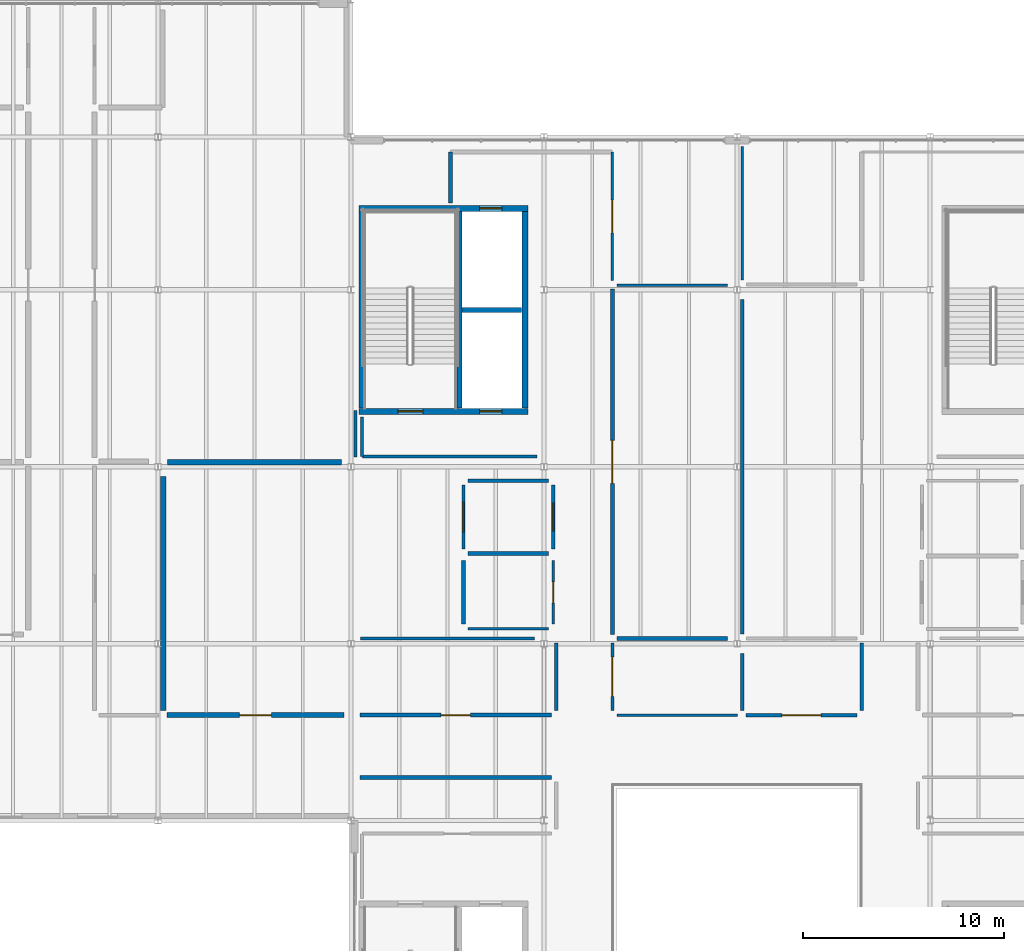
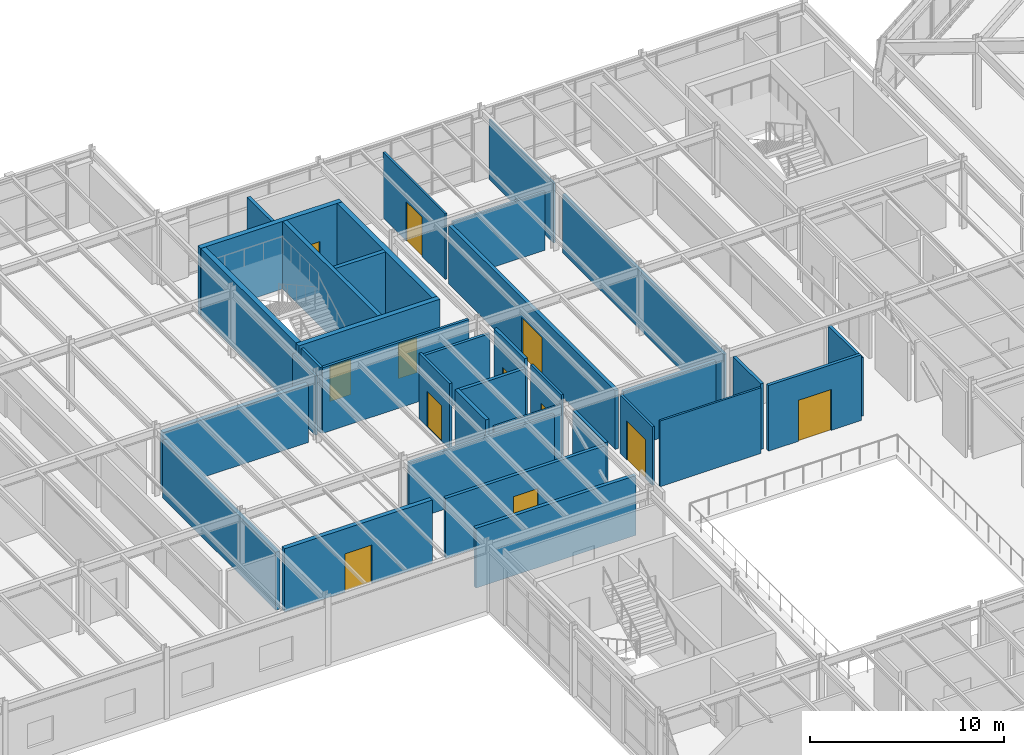
# One storey, part 54 of 69: 35 walls, 12 doors, 12 openings.
"""IFC4 building model written with IfcOpenShell, lengths in metres."""

from ifc_helpers import new_model, si_unit, direction, frame, frame_2d, origin, place, context, subcontext, project, spatial, rectangle, extrude, material, layer, layer_set, type_object, element, fill, save


model = new_model("IFC4")

# Units and contexts
model_context = context("Model", 3, precision=1e-05, world=origin(), true_north=direction((0.0, 1.0)))
body_context = subcontext(model_context, "Body", "Model", "MODEL_VIEW")
ifc_project = project(units=[si_unit("LENGTHUNIT", "METRE"), si_unit("AREAUNIT", "SQUARE_METRE"), si_unit("VOLUMEUNIT", "CUBIC_METRE"), si_unit("PLANEANGLEUNIT", "RADIAN"), si_unit("MASSUNIT", "GRAM", prefix="KILO")], contexts=[model_context])

# Site, building, storey
site_placement = place(None, origin())
site = spatial("IfcSite", under=ifc_project, at=site_placement, CompositionType="ELEMENT")
building_placement = place(site_placement, origin())
building = spatial("IfcBuilding", under=site, at=building_placement, Name="Sarnbrook Museum", CompositionType="ELEMENT")
storey_placement = place(building_placement, frame((0.0, 0.0, 14.60009765625)))
storey = spatial("IfcBuildingStorey", under=building, at=storey_placement, Name="L03", CompositionType="ELEMENT", Elevation=14.60009765625)

# Wall, openings, doors
ifc_material_1 = material(Name="Concrete N50 (AS 3600, f'c = 50 MPa)", Category="concrete")
ifc_layer_1 = layer(ifc_material_1, 0.300048828125)
ifc_layer_set_1 = layer_set([ifc_layer_1], Name="Concrete N50 (AS 3600, f'c = 50 MPa)")
wall_type_1 = type_object("IfcWallType", Name="CoreWall_CWRC", PredefinedType="SHEAR", material=ifc_layer_set_1)
wall_1_placement = place(storey_placement, frame((81.199951171875, 94.75, 0.0), z_axis=(0.0, 0.0, 1.0), x_axis=(1.0, 0.0, 0.0)))
wall_1 = element("IfcWall", 1, at=wall_1_placement, inside=storey, type_object=wall_type_1, Name="Core C4 Shear Wall S L03", PredefinedType="SHEAR", context=body_context, shape_type="SweptSolid", body=[
    extrude(rectangle(XDim=8.400146484375, YDim=0.300048828125, at=frame_2d((4.2001953125, 0.0))), origin(), (0.0, 0.0, 1.0), 4.244873046875),
])
opening_1_placement = place(wall_1_placement, frame((1.925048828125, 0.0, 0.0)))
opening_1 = element("IfcOpeningElement", 2, at=opening_1_placement, cuts=wall_1, Name="Opening D-ST-ST4-L03", PredefinedType="OPENING", context=body_context, shape_type="SweptSolid", body=[
    extrude(rectangle(XDim=1.25, YDim=2.199951171875, at=frame_2d((0.625, 1.10009765625))), frame((0.0, 0.16015625, 0.0), z_axis=(0.0, -1.0, 0.0), x_axis=(1.0, 0.0, 0.0)), (0.0, 0.0, 1.0), 0.320068359375),
])
opening_2_placement = place(wall_1_placement, frame((6.0, 0.0, 0.0)))
opening_2 = element("IfcOpeningElement", 3, at=opening_2_placement, cuts=wall_1, Name="Opening LD-PL3-L03", PredefinedType="OPENING", context=body_context, shape_type="SweptSolid", body=[
    extrude(rectangle(XDim=1.10009765625, YDim=2.199951171875, at=frame_2d((0.550048828125, 1.10009765625))), frame((0.0, 0.16015625, 0.0), z_axis=(0.0, -1.0, 0.0), x_axis=(1.0, 0.0, 0.0)), (0.0, 0.0, 1.0), 0.320068359375),
])
ifc_material_2 = material(Name="Tasmanian Oak Acoustic Timber", Category="wood")
door_type_1 = type_object("IfcDoorType", Name="FireDoor_FD120", OperationType="NOTDEFINED", PredefinedType="DOOR", material=ifc_material_2)
door_1_placement = place(opening_1_placement, origin())
door_1 = element("IfcDoor", 4, at=door_1_placement, inside=storey, type_object=door_type_1, Name="Exit Stair ST4 Fire Door L03", OperationType="SINGLE_SWING_LEFT", OverallHeight=2.199951171875, OverallWidth=1.25, PredefinedType="DOOR", context=body_context, shape_type="SweptSolid", body=[
    extrude(rectangle(XDim=1.25, YDim=2.199951171875, at=frame_2d((0.625, 1.10009765625))), frame((0.0, 0.02490234375, 0.0), z_axis=(0.0, -1.0, 0.0), x_axis=(1.0, 0.0, 0.0)), (0.0, 0.0, 1.0), 0.050048828125),
])
fill(opening_1, door_1)
ifc_material_3 = material(Name="Brushed Stainless Steel Grade 316", Category="steel")
door_type_2 = type_object("IfcDoorType", Name="LiftDoor_Pax110", OperationType="DOUBLE_DOOR_SLIDING", PredefinedType="DOOR", material=ifc_material_3)
door_2_placement = place(opening_2_placement, origin())
door_2 = element("IfcDoor", 5, at=door_2_placement, inside=storey, type_object=door_type_2, Name="Lift Landing Sliding Door LD-PL3-L03", OperationType="DOUBLE_DOOR_SLIDING", OverallHeight=2.199951171875, OverallWidth=1.10009765625, PredefinedType="DOOR", context=body_context, shape_type="SweptSolid", body=[
    extrude(rectangle(XDim=1.10009765625, YDim=2.199951171875, at=frame_2d((0.550048828125, 1.10009765625))), frame((0.0, 0.02490234375, 0.0), z_axis=(0.0, -1.0, 0.0), x_axis=(1.0, 0.0, 0.0)), (0.0, 0.0, 1.0), 0.050048828125),
])
fill(opening_2, door_2)

# Wall, opening, door
wall_2_placement = place(storey_placement, frame((89.60009765625, 104.85009765625, 0.0), z_axis=(0.0, 0.0, 1.0), x_axis=(-1.0, 0.0, 0.0)))
wall_2 = element("IfcWall", 6, at=wall_2_placement, inside=storey, type_object=wall_type_1, Name="Core C4 Shear Wall N L03", PredefinedType="SHEAR", context=body_context, shape_type="SweptSolid", body=[
    extrude(rectangle(XDim=8.400146484375, YDim=0.300048828125, at=frame_2d((4.2001953125, 0.0))), origin(), (0.0, 0.0, 1.0), 4.244873046875),
])
opening_3_placement = place(wall_2_placement, frame((1.300048828125, 0.0, 0.0)))
opening_3 = element("IfcOpeningElement", 7, at=opening_3_placement, cuts=wall_2, Name="Opening LD-PL4-L03", PredefinedType="OPENING", context=body_context, shape_type="SweptSolid", body=[
    extrude(rectangle(XDim=1.10009765625, YDim=2.199951171875, at=frame_2d((0.550048828125, 1.10009765625))), frame((0.0, 0.16015625, 0.0), z_axis=(0.0, -1.0, 0.0), x_axis=(1.0, 0.0, 0.0)), (0.0, 0.0, 1.0), 0.320068359375),
])
door_3_placement = place(opening_3_placement, origin())
door_3 = element("IfcDoor", 8, at=door_3_placement, inside=storey, type_object=door_type_2, Name="Lift Landing Sliding Door LD-PL4-L03", OperationType="DOUBLE_DOOR_SLIDING", OverallHeight=2.199951171875, OverallWidth=1.10009765625, PredefinedType="DOOR", context=body_context, shape_type="SweptSolid", body=[
    extrude(rectangle(XDim=1.10009765625, YDim=2.199951171875, at=frame_2d((0.550048828125, 1.10009765625))), frame((0.0, 0.02490234375, 0.0), z_axis=(0.0, -1.0, 0.0), x_axis=(1.0, 0.0, 0.0)), (0.0, 0.0, 1.0), 0.050048828125),
])
fill(opening_3, door_3)

# Walls
for number, where, z_axis, x_axis, name in (
    (9, (89.449951171875, 94.909912109375, 0.0), (0.0, 0.0, 1.0), (0.0, 1.0, 0.0), "Core C4 Shear Wall E L03"),
    (10, (81.35009765625, 104.68994140625, 0.0), (0.0, 0.0, 1.0), (0.0, -1.0, 0.0), "Core C4 Shear Wall W L03"),
):
    element("IfcWall", number, at=place(storey_placement, frame(where, z_axis=z_axis, x_axis=x_axis)), inside=storey, type_object=wall_type_1, Name=name, PredefinedType="SHEAR", context=body_context, shape_type="SweptSolid", body=[
        extrude(rectangle(XDim=9.780029296875, YDim=0.300048828125, at=frame_2d((4.89013671875, 0.0))), origin(), (0.0, 0.0, 1.0), 4.244873046875),
    ])

# Wall, opening, door
ifc_material_4 = material(Name="Concrete N40 (AS 3600, f'c = 40 MPa)", Category="concrete")
ifc_layer_2 = layer(ifc_material_4, 0.260009765625)
ifc_layer_set_2 = layer_set([ifc_layer_2], Name="Concrete N40 (AS 3600, f'c = 40 MPa)")
wall_type_2 = type_object("IfcWallType", Name="FireWall_FW240", PredefinedType="SOLIDWALL", material=ifc_layer_set_2)
wall_3_placement = place(storey_placement, frame((80.43994140625, 79.64990234375, 0.0), z_axis=(0.0, 0.0, 1.0), x_axis=(-1.0, 0.0, 0.0)))
wall_3 = element("IfcWall", 11, at=wall_3_placement, inside=storey, type_object=wall_type_2, Name="Interior Partition Wall L03-0705", PredefinedType="SOLIDWALL", context=body_context, shape_type="SweptSolid", body=[
    extrude(rectangle(XDim=8.7900390625, YDim=0.260009765625, at=frame_2d((4.39501953125, 0.0))), origin(), (0.0, 0.0, 1.0), 3.972900390625),
])
opening_4_placement = place(wall_3_placement, frame((3.594970703125, 0.0, 0.0)))
opening_4 = element("IfcOpeningElement", 12, at=opening_4_placement, cuts=wall_3, Name="Opening D-L03-206", PredefinedType="OPENING", context=body_context, shape_type="SweptSolid", body=[
    extrude(rectangle(XDim=1.60009765625, YDim=2.39990234375, at=frame_2d((0.800048828125, 1.199951171875))), frame((0.0, 0.14013671875, 0.0), z_axis=(0.0, -1.0, 0.0), x_axis=(1.0, 0.0, 0.0)), (0.0, 0.0, 1.0), 0.280029296875),
])
ifc_material_5 = material(Name="Patinated Architectural Bronze")
door_type_3 = type_object("IfcDoorType", Name="FireDoor_FD240", OperationType="NOTDEFINED", PredefinedType="DOOR", material=ifc_material_5)
door_4_placement = place(opening_4_placement, origin())
door_4 = element("IfcDoor", 13, at=door_4_placement, inside=storey, type_object=door_type_3, Name="Collection Archive Vault L03-35 Door D-L03-206", OperationType="DOUBLE_DOOR_SINGLE_SWING", OverallHeight=2.39990234375, OverallWidth=1.60009765625, PredefinedType="DOOR", context=body_context, shape_type="SweptSolid", body=[
    extrude(rectangle(XDim=1.60009765625, YDim=2.39990234375, at=frame_2d((0.800048828125, 1.199951171875))), frame((0.0, 0.02490234375, 0.0), z_axis=(0.0, -1.0, 0.0), x_axis=(1.0, 0.0, 0.0)), (0.0, 0.0, 1.0), 0.050048828125),
])
fill(opening_4, door_4)

# Walls
wall_4_placement = place(storey_placement, frame((71.4599609375, 91.52001953125, 0.0), z_axis=(0.0, 0.0, 1.0), x_axis=(0.0, -1.0, 0.0)))
element("IfcWall", 14, at=wall_4_placement, inside=storey, type_object=wall_type_2, Name="Interior Partition Wall L03-0727", PredefinedType="SOLIDWALL", context=body_context, shape_type="SweptSolid", body=[
    extrude(rectangle(XDim=11.64013671875, YDim=0.260009765625, at=frame_2d((5.820068359375, 0.0))), origin(), (0.0, 0.0, 1.0), 3.64697265625),
])
wall_5_placement = place(storey_placement, frame((80.320068359375, 92.219970703125, 0.0), z_axis=(0.0, 0.0, 1.0), x_axis=(-1.0, 0.0, 0.0)))
element("IfcWall", 15, at=wall_5_placement, inside=storey, type_object=wall_type_2, Name="Interior Partition Wall L03-0730", PredefinedType="SOLIDWALL", context=body_context, shape_type="SweptSolid", body=[
    extrude(rectangle(XDim=8.64013671875, YDim=0.260009765625, at=frame_2d((4.320068359375, 0.0))), origin(), (0.0, 0.0, 1.0), 3.64697265625),
])
ifc_material_6 = material(Name="Fire-Rated Acoustic Gypsum Plasterboard")
ifc_layer_3 = layer(ifc_material_6, 0.1201171875)
ifc_layer_set_3 = layer_set([ifc_layer_3], Name="Fire-Rated Acoustic Gypsum Plasterboard")
wall_type_3 = type_object("IfcWallType", Name="PartWall_P120", PredefinedType="PARTITIONING", material=ifc_layer_set_3)
wall_6_placement = place(storey_placement, frame((90.6298828125, 83.93994140625, 0.0), z_axis=(0.0, 0.0, 1.0), x_axis=(-1.0, 0.0, 0.0)))
element("IfcWall", 16, at=wall_6_placement, inside=storey, type_object=wall_type_3, Name="Interior Partition Wall L03-0601", PredefinedType="PARTITIONING", context=body_context, shape_type="SweptSolid", body=[
    extrude(rectangle(XDim=4.009765625, YDim=0.1201171875, at=frame_2d((2.0048828125, 0.0))), origin(), (0.0, 0.0, 1.0), 3.762939453125),
])

# Wall, opening, door
wall_7_placement = place(storey_placement, frame((93.800048828125, 101.25, 0.0), z_axis=(0.0, 0.0, 1.0), x_axis=(0.0, 1.0, 0.0)))
wall_7 = element("IfcWall", 17, at=wall_7_placement, inside=storey, type_object=wall_type_3, Name="Interior Partition Wall L03-0636", PredefinedType="PARTITIONING", context=body_context, shape_type="SweptSolid", body=[
    extrude(rectangle(XDim=6.389892578125, YDim=0.1201171875, at=frame_2d((3.19482421875, 0.0))), origin(), (0.0, 0.0, 1.0), 4.1298828125),
])
opening_5_placement = place(wall_7_placement, frame((2.385009765625, 0.0, 0.0)))
opening_5 = element("IfcOpeningElement", 18, at=opening_5_placement, cuts=wall_7, Name="Opening D-L03-182", PredefinedType="OPENING", context=body_context, shape_type="SweptSolid", body=[
    extrude(rectangle(XDim=1.6201171875, YDim=2.4599609375, at=frame_2d((0.81005859375, 1.22998046875))), frame((0.0, 0.070068359375, 0.0), z_axis=(0.0, -1.0, 0.0), x_axis=(1.0, 0.0, 0.0)), (0.0, 0.0, 1.0), 0.14013671875),
])
door_type_4 = type_object("IfcDoorType", Name="IntDoor_DT30", OperationType="NOTDEFINED", PredefinedType="DOOR", material=ifc_material_2)
door_5_placement = place(opening_5_placement, origin())
door_5 = element("IfcDoor", 19, at=door_5_placement, inside=storey, type_object=door_type_4, Name="Molecular DNA Conservation Lab L03-10 Door D-L03-182", OperationType="DOUBLE_DOOR_SINGLE_SWING", OverallHeight=2.4599609375, OverallWidth=1.6201171875, PredefinedType="DOOR", context=body_context, shape_type="SweptSolid", body=[
    extrude(rectangle(XDim=1.6201171875, YDim=2.4599609375, at=frame_2d((0.81005859375, 1.22998046875))), frame((0.0, 0.02490234375, 0.0), z_axis=(0.0, -1.0, 0.0), x_axis=(1.0, 0.0, 0.0)), (0.0, 0.0, 1.0), 0.050048828125),
])
fill(opening_5, door_5)

# Walls
wall_8_placement = place(storey_placement, frame((100.030029296875, 79.64990234375, 0.0), z_axis=(0.0, 0.0, 1.0), x_axis=(-1.0, 0.0, 0.0)))
element("IfcWall", 20, at=wall_8_placement, inside=storey, type_object=wall_type_3, Name="Interior Partition Wall L03-0643", PredefinedType="PARTITIONING", context=body_context, shape_type="SweptSolid", body=[
    extrude(rectangle(XDim=6.0, YDim=0.1201171875, at=frame_2d((3.0, 0.0))), origin(), (0.0, 0.0, 1.0), 4.1298828125),
])
wall_9_placement = place(storey_placement, frame((100.260009765625, 107.919921875, 0.0), z_axis=(0.0, 0.0, 1.0), x_axis=(0.0, -1.0, 0.0)))
element("IfcWall", 21, at=wall_9_placement, inside=storey, type_object=wall_type_3, Name="Interior Partition Wall L03-0713", PredefinedType="PARTITIONING", context=body_context, shape_type="SweptSolid", body=[
    extrude(rectangle(XDim=6.639892578125, YDim=0.1201171875, at=frame_2d((3.31982421875, 0.0))), origin(), (0.0, 0.0, 1.0), 3.762939453125),
])

# Wall, opening, door
ifc_layer_4 = layer(ifc_material_6, 0.135009765625)
ifc_layer_set_4 = layer_set([ifc_layer_4], Name="Fire-Rated Acoustic Gypsum Plasterboard")
wall_type_4 = type_object("IfcWallType", Name="PartWall_P135", PredefinedType="PARTITIONING", material=ifc_layer_set_4)
wall_10_placement = place(storey_placement, frame((90.860107421875, 87.330078125, 0.0), z_axis=(0.0, 0.0, 1.0), x_axis=(0.0, -1.0, 0.0)))
wall_10 = element("IfcWall", 22, at=wall_10_placement, inside=storey, type_object=wall_type_4, Name="Interior Partition Wall L03-0600", PredefinedType="PARTITIONING", context=body_context, shape_type="SweptSolid", body=[
    extrude(rectangle(XDim=3.16015625, YDim=0.135009765625, at=frame_2d((1.580078125, 0.0))), origin(), (0.0, 0.0, 1.0), 4.1298828125),
])
opening_6_placement = place(wall_10_placement, frame((1.054931640625, 0.0, 0.0)))
opening_6 = element("IfcOpeningElement", 23, at=opening_6_placement, cuts=wall_10, Name="Opening D-L03-173", PredefinedType="OPENING", context=body_context, shape_type="SweptSolid", body=[
    extrude(rectangle(XDim=1.050048828125, YDim=2.340087890625, at=frame_2d((0.52490234375, 1.169921875))), frame((0.0, 0.07763671875, 0.0), z_axis=(0.0, -1.0, 0.0), x_axis=(1.0, 0.0, 0.0)), (0.0, 0.0, 1.0), 0.155029296875),
])
door_type_5 = type_object("IfcDoorType", Name="IntDoor_DT21", OperationType="NOTDEFINED", PredefinedType="DOOR", material=ifc_material_2)
door_6_placement = place(opening_6_placement, frame((1.050048828125, 0.0, 0.0), z_axis=(0.0, 0.0, 1.0), x_axis=(-1.0, 0.0, 0.0)))
door_6 = element("IfcDoor", 24, at=door_6_placement, inside=storey, type_object=door_type_5, Name="Curatorial Staff Toilet L03 Door D-L03-173", OperationType="SINGLE_SWING_LEFT", OverallHeight=2.340087890625, OverallWidth=1.050048828125, PredefinedType="DOOR", context=body_context, shape_type="SweptSolid", body=[
    extrude(rectangle(XDim=1.050048828125, YDim=2.340087890625, at=frame_2d((0.52490234375, 1.169921875))), frame((0.0, 0.02490234375, 0.0), z_axis=(0.0, -1.0, 0.0), x_axis=(1.0, 0.0, 0.0)), (0.0, 0.0, 1.0), 0.050048828125),
])
fill(opening_6, door_6)

# Wall
wall_11_placement = place(storey_placement, frame((81.02001953125, 92.47998046875, 0.0), z_axis=(0.0, 0.0, 1.0), x_axis=(0.0, 1.0, 0.0)))
element("IfcWall", 25, at=wall_11_placement, inside=storey, type_object=wall_type_4, Name="Interior Partition Wall L03-0635", PredefinedType="PARTITIONING", context=body_context, shape_type="SweptSolid", body=[
    extrude(rectangle(XDim=2.320068359375, YDim=0.135009765625, at=frame_2d((1.16015625, 0.0))), origin(), (0.0, 0.0, 1.0), 3.722900390625),
])

# Wall, opening, door
wall_12_placement = place(storey_placement, frame((93.800048828125, 79.8798828125, 0.0), z_axis=(0.0, 0.0, 1.0), x_axis=(0.0, 1.0, 0.0)))
wall_12 = element("IfcWall", 26, at=wall_12_placement, inside=storey, type_object=wall_type_4, Name="Interior Partition Wall L03-0642", PredefinedType="PARTITIONING", context=body_context, shape_type="SweptSolid", body=[
    extrude(rectangle(XDim=3.35009765625, YDim=0.135009765625, at=frame_2d((1.675048828125, 0.0))), origin(), (0.0, 0.0, 1.0), 3.68701171875),
])
opening_7_placement = place(wall_12_placement, frame((0.695068359375, 0.0, 0.0)))
opening_7 = element("IfcOpeningElement", 27, at=opening_7_placement, cuts=wall_12, Name="Opening D-L03-184", PredefinedType="OPENING", context=body_context, shape_type="SweptSolid", body=[
    extrude(rectangle(XDim=1.9599609375, YDim=2.4599609375, at=frame_2d((0.97998046875, 1.22998046875))), frame((0.0, 0.07763671875, 0.0), z_axis=(0.0, -1.0, 0.0), x_axis=(1.0, 0.0, 0.0)), (0.0, 0.0, 1.0), 0.155029296875),
])
door_type_6 = type_object("IfcDoorType", Name="IntDoor_DT32", OperationType="NOTDEFINED", PredefinedType="DOOR", material=ifc_material_2)
door_7_placement = place(opening_7_placement, origin())
door_7 = element("IfcDoor", 28, at=door_7_placement, inside=storey, type_object=door_type_6, Name="Collection Digitisation Studio L03-12 Door D-L03-184", OperationType="DOUBLE_DOOR_SINGLE_SWING", OverallHeight=2.4599609375, OverallWidth=1.9599609375, PredefinedType="DOOR", context=body_context, shape_type="SweptSolid", body=[
    extrude(rectangle(XDim=1.9599609375, YDim=2.4599609375, at=frame_2d((0.97998046875, 1.22998046875))), frame((0.0, 0.02490234375, 0.0), z_axis=(0.0, -1.0, 0.0), x_axis=(1.0, 0.0, 0.0)), (0.0, 0.0, 1.0), 0.050048828125),
])
fill(opening_7, door_7)

# Wall
wall_13_placement = place(storey_placement, frame((99.52001953125, 101.02001953125, 0.0), z_axis=(0.0, 0.0, 1.0), x_axis=(-1.0, 0.0, 0.0)))
element("IfcWall", 29, at=wall_13_placement, inside=storey, type_object=wall_type_4, Name="Interior Partition Wall L03-0712", PredefinedType="PARTITIONING", context=body_context, shape_type="SweptSolid", body=[
    extrude(rectangle(XDim=5.489990234375, YDim=0.135009765625, at=frame_2d((2.7451171875, 0.0))), origin(), (0.0, 0.0, 1.0), 3.68701171875),
])

# Wall, opening, door
ifc_layer_5 = layer(ifc_material_6, 0.14990234375)
ifc_layer_set_5 = layer_set([ifc_layer_5], Name="Fire-Rated Acoustic Gypsum Plasterboard")
wall_type_5 = type_object("IfcWallType", Name="PartWall_P150", PredefinedType="PARTITIONING", material=ifc_layer_set_5)
wall_14_placement = place(storey_placement, frame((86.389892578125, 87.919921875, 0.0), z_axis=(0.0, 0.0, 1.0), x_axis=(0.0, 1.0, 0.0)))
wall_14 = element("IfcWall", 30, at=wall_14_placement, inside=storey, type_object=wall_type_5, Name="Interior Partition Wall L03-0599", PredefinedType="PARTITIONING", context=body_context, shape_type="SweptSolid", body=[
    extrude(rectangle(XDim=3.16015625, YDim=0.14990234375, at=frame_2d((1.580078125, 0.0))), origin(), (0.0, 0.0, 1.0), 4.1298828125),
])
opening_8_placement = place(wall_14_placement, frame((0.840087890625, 0.0, 0.0)))
opening_8 = element("IfcOpeningElement", 31, at=opening_8_placement, cuts=wall_14, Name="Opening D-L03-172", PredefinedType="OPENING", context=body_context, shape_type="SweptSolid", body=[
    extrude(rectangle(XDim=1.47998046875, YDim=2.239990234375, at=frame_2d((0.739990234375, 1.1201171875))), frame((0.0, 0.0849609375, 0.0), z_axis=(0.0, -1.0, 0.0), x_axis=(1.0, 0.0, 0.0)), (0.0, 0.0, 1.0), 0.169921875),
])
door_type_7 = type_object("IfcDoorType", Name="IntDoor_DT20", OperationType="NOTDEFINED", PredefinedType="DOOR", material=ifc_material_2)
door_8_placement = place(opening_8_placement, frame((1.47998046875, 0.0, 0.0), z_axis=(0.0, 0.0, 1.0), x_axis=(-1.0, 0.0, 0.0)))
door_8 = element("IfcDoor", 32, at=door_8_placement, inside=storey, type_object=door_type_7, Name="First Peoples Cultural Heritage Gallery L03-9 Door D-L03-172", OperationType="SINGLE_SWING_RIGHT", OverallHeight=2.239990234375, OverallWidth=1.47998046875, PredefinedType="DOOR", context=body_context, shape_type="SweptSolid", body=[
    extrude(rectangle(XDim=1.47998046875, YDim=2.239990234375, at=frame_2d((0.739990234375, 1.1201171875))), frame((0.0, 0.02490234375, 0.0), z_axis=(0.0, -1.0, 0.0), x_axis=(1.0, 0.0, 0.0)), (0.0, 0.0, 1.0), 0.050048828125),
])
fill(opening_8, door_8)

# Walls
wall_15_placement = place(storey_placement, frame((81.360107421875, 92.5, 0.0), z_axis=(0.0, 0.0, 1.0), x_axis=(1.0, 0.0, 0.0)))
element("IfcWall", 33, at=wall_15_placement, inside=storey, type_object=wall_type_5, Name="Interior Partition Wall L03-0634", PredefinedType="PARTITIONING", context=body_context, shape_type="SweptSolid", body=[
    extrude(rectangle(XDim=8.697021484375, YDim=0.14990234375, at=frame_2d((4.3486328125, 0.0))), origin(), (0.0, 0.0, 1.0), 4.1298828125),
])
wall_16_placement = place(storey_placement, frame((81.280029296875, 83.4599609375, 0.0), z_axis=(0.0, 0.0, 1.0), x_axis=(1.0, 0.0, 0.0)))
element("IfcWall", 34, at=wall_16_placement, inside=storey, type_object=wall_type_5, Name="Interior Partition Wall L03-0711", PredefinedType="PARTITIONING", context=body_context, shape_type="SweptSolid", body=[
    extrude(rectangle(XDim=8.639892578125, YDim=0.14990234375, at=frame_2d((4.31982421875, 0.0))), origin(), (0.0, 0.0, 1.0), 3.68701171875),
])
ifc_layer_6 = layer(ifc_material_6, 0.1650390625)
ifc_layer_set_6 = layer_set([ifc_layer_6], Name="Fire-Rated Acoustic Gypsum Plasterboard")
wall_type_6 = type_object("IfcWallType", Name="PartWall_P165", PredefinedType="PARTITIONING", material=ifc_layer_set_6)
wall_17_placement = place(storey_placement, frame((86.6201171875, 91.31005859375, 0.0), z_axis=(0.0, 0.0, 1.0), x_axis=(1.0, 0.0, 0.0)))
element("IfcWall", 35, at=wall_17_placement, inside=storey, type_object=wall_type_6, Name="Interior Partition Wall L03-0598", PredefinedType="PARTITIONING", context=body_context, shape_type="SweptSolid", body=[
    extrude(rectangle(XDim=4.009765625, YDim=0.1650390625, at=frame_2d((2.0048828125, 0.0))), origin(), (0.0, 0.0, 1.0), 3.762939453125),
])
wall_18_placement = place(storey_placement, frame((81.35009765625, 94.47998046875, 0.0), z_axis=(0.0, 0.0, 1.0), x_axis=(0.0, -1.0, 0.0)))
element("IfcWall", 36, at=wall_18_placement, inside=storey, type_object=wall_type_6, Name="Interior Partition Wall L03-0633", PredefinedType="PARTITIONING", context=body_context, shape_type="SweptSolid", body=[
    extrude(rectangle(XDim=1.969970703125, YDim=0.1650390625, at=frame_2d((0.98486328125, 0.0))), origin(), (0.0, 0.0, 1.0), 4.1298828125),
])
wall_19_placement = place(storey_placement, frame((106.199951171875, 83.22998046875, 0.0), z_axis=(0.0, 0.0, 1.0), x_axis=(0.0, -1.0, 0.0)))
element("IfcWall", 37, at=wall_19_placement, inside=storey, type_object=wall_type_6, Name="Interior Partition Wall L03-0654", PredefinedType="PARTITIONING", context=body_context, shape_type="SweptSolid", body=[
    extrude(rectangle(XDim=3.35009765625, YDim=0.1650390625, at=frame_2d((1.675048828125, 0.0))), origin(), (0.0, 0.0, 1.0), 3.68701171875),
])
wall_20_placement = place(storey_placement, frame((100.260009765625, 100.320068359375, 0.0), z_axis=(0.0, 0.0, 1.0), x_axis=(0.0, -1.0, 0.0)))
element("IfcWall", 38, at=wall_20_placement, inside=storey, type_object=wall_type_6, Name="Interior Partition Wall L03-0717", PredefinedType="PARTITIONING", context=body_context, shape_type="SweptSolid", body=[
    extrude(rectangle(XDim=16.64013671875, YDim=0.1650390625, at=frame_2d((8.320068359375, 0.0))), origin(), (0.0, 0.0, 1.0), 3.68701171875),
])

# Wall, opening, door
ifc_layer_7 = layer(ifc_material_6, 0.179931640625)
ifc_layer_set_7 = layer_set([ifc_layer_7], Name="Fire-Rated Acoustic Gypsum Plasterboard")
wall_type_7 = type_object("IfcWallType", Name="PartWall_P180", PredefinedType="PARTITIONING", material=ifc_layer_set_7)
wall_21_placement = place(storey_placement, frame((90.860107421875, 91.080078125, 0.0), z_axis=(0.0, 0.0, 1.0), x_axis=(0.0, -1.0, 0.0)))
wall_21 = element("IfcWall", 39, at=wall_21_placement, inside=storey, type_object=wall_type_7, Name="Interior Partition Wall L03-0597", PredefinedType="PARTITIONING", context=body_context, shape_type="SweptSolid", body=[
    extrude(rectangle(XDim=3.16015625, YDim=0.179931640625, at=frame_2d((1.580078125, 0.0))), origin(), (0.0, 0.0, 1.0), 4.1298828125),
])
opening_9_placement = place(wall_21_placement, frame((0.889892578125, 0.0, 0.0)))
opening_9 = element("IfcOpeningElement", 40, at=opening_9_placement, cuts=wall_21, Name="Opening D-L03-171", PredefinedType="OPENING", context=body_context, shape_type="SweptSolid", body=[
    extrude(rectangle(XDim=1.3798828125, YDim=2.239990234375, at=frame_2d((0.68994140625, 1.1201171875))), frame((0.0, 0.10009765625, 0.0), z_axis=(0.0, -1.0, 0.0), x_axis=(1.0, 0.0, 0.0)), (0.0, 0.0, 1.0), 0.199951171875),
])
door_type_8 = type_object("IfcDoorType", Name="IntDoor_DT19", OperationType="NOTDEFINED", PredefinedType="DOOR", material=ifc_material_2)
door_9_placement = place(opening_9_placement, frame((1.3798828125, 0.0, 0.0), z_axis=(0.0, 0.0, 1.0), x_axis=(-1.0, 0.0, 0.0)))
door_9 = element("IfcDoor", 41, at=door_9_placement, inside=storey, type_object=door_type_8, Name="Accessible Unisex Toilet L03 Door D-L03-171", OperationType="SINGLE_SWING_LEFT", OverallHeight=2.239990234375, OverallWidth=1.3798828125, PredefinedType="DOOR", context=body_context, shape_type="SweptSolid", body=[
    extrude(rectangle(XDim=1.3798828125, YDim=2.239990234375, at=frame_2d((0.68994140625, 1.1201171875))), frame((0.0, 0.02490234375, 0.0), z_axis=(0.0, -1.0, 0.0), x_axis=(1.0, 0.0, 0.0)), (0.0, 0.0, 1.0), 0.050048828125),
])
fill(opening_9, door_9)

# Wall
wall_22_placement = place(storey_placement, frame((91.0, 83.22998046875, 0.0), z_axis=(0.0, 0.0, 1.0), x_axis=(0.0, -1.0, 0.0)))
element("IfcWall", 42, at=wall_22_placement, inside=storey, type_object=wall_type_7, Name="Interior Partition Wall L03-0632", PredefinedType="PARTITIONING", context=body_context, shape_type="SweptSolid", body=[
    extrude(rectangle(XDim=3.35009765625, YDim=0.179931640625, at=frame_2d((1.675048828125, 0.0))), origin(), (0.0, 0.0, 1.0), 3.68701171875),
])

# Wall, opening, door
wall_23_placement = place(storey_placement, frame((105.969970703125, 79.64990234375, 0.0), z_axis=(0.0, 0.0, 1.0), x_axis=(-1.0, 0.0, 0.0)))
wall_23 = element("IfcWall", 43, at=wall_23_placement, inside=storey, type_object=wall_type_7, Name="Interior Partition Wall L03-0653", PredefinedType="PARTITIONING", context=body_context, shape_type="SweptSolid", body=[
    extrude(rectangle(XDim=5.52001953125, YDim=0.179931640625, at=frame_2d((2.760009765625, 0.0))), origin(), (0.0, 0.0, 1.0), 4.1298828125),
])
opening_10_placement = place(wall_23_placement, frame((1.784912109375, 0.0, 0.0)))
opening_10 = element("IfcOpeningElement", 44, at=opening_10_placement, cuts=wall_23, Name="Opening D-L03-188", PredefinedType="OPENING", context=body_context, shape_type="SweptSolid", body=[
    extrude(rectangle(XDim=1.949951171875, YDim=2.580078125, at=frame_2d((0.97509765625, 1.2900390625))), frame((0.0, 0.10009765625, 0.0), z_axis=(0.0, -1.0, 0.0), x_axis=(1.0, 0.0, 0.0)), (0.0, 0.0, 1.0), 0.199951171875),
])
door_type_9 = type_object("IfcDoorType", Name="IntDoor_DT36", OperationType="NOTDEFINED", PredefinedType="DOOR", material=ifc_material_2)
door_10_placement = place(opening_10_placement, origin())
door_10 = element("IfcDoor", 45, at=door_10_placement, inside=storey, type_object=door_type_9, Name="Molecular DNA Conservation Lab L03-16 Door D-L03-188", OperationType="DOUBLE_DOOR_SINGLE_SWING", OverallHeight=2.580078125, OverallWidth=1.949951171875, PredefinedType="DOOR", context=body_context, shape_type="SweptSolid", body=[
    extrude(rectangle(XDim=1.949951171875, YDim=2.580078125, at=frame_2d((0.97509765625, 1.2900390625))), frame((0.0, 0.02490234375, 0.0), z_axis=(0.0, -1.0, 0.0), x_axis=(1.0, 0.0, 0.0)), (0.0, 0.0, 1.0), 0.050048828125),
])
fill(opening_10, door_10)

# Walls
wall_24_placement = place(storey_placement, frame((100.260009765625, 82.719970703125, 0.0), z_axis=(0.0, 0.0, 1.0), x_axis=(0.0, -1.0, 0.0)))
element("IfcWall", 46, at=wall_24_placement, inside=storey, type_object=wall_type_7, Name="Interior Partition Wall L03-0716", PredefinedType="PARTITIONING", context=body_context, shape_type="SweptSolid", body=[
    extrude(rectangle(XDim=2.840087890625, YDim=0.179931640625, at=frame_2d((1.419921875, 0.0))), origin(), (0.0, 0.0, 1.0), 4.1298828125),
])
ifc_layer_8 = layer(ifc_material_6, 0.195068359375)
ifc_layer_set_8 = layer_set([ifc_layer_8], Name="Fire-Rated Acoustic Gypsum Plasterboard")
wall_type_8 = type_object("IfcWallType", Name="PartWall_P195", PredefinedType="PARTITIONING", material=ifc_layer_set_8)
wall_25_placement = place(storey_placement, frame((90.6298828125, 87.68994140625, 0.0), z_axis=(0.0, 0.0, 1.0), x_axis=(-1.0, 0.0, 0.0)))
element("IfcWall", 47, at=wall_25_placement, inside=storey, type_object=wall_type_8, Name="Interior Partition Wall L03-0596", PredefinedType="PARTITIONING", context=body_context, shape_type="SweptSolid", body=[
    extrude(rectangle(XDim=4.009765625, YDim=0.195068359375, at=frame_2d((2.0048828125, 0.0))), origin(), (0.0, 0.0, 1.0), 3.762939453125),
])

# Wall, opening, door
wall_26_placement = place(storey_placement, frame((90.77001953125, 79.64990234375, 0.0), z_axis=(0.0, 0.0, 1.0), x_axis=(-1.0, 0.0, 0.0)))
wall_26 = element("IfcWall", 48, at=wall_26_placement, inside=storey, type_object=wall_type_8, Name="Interior Partition Wall L03-0631", PredefinedType="PARTITIONING", context=body_context, shape_type="SweptSolid", body=[
    extrude(rectangle(XDim=9.52001953125, YDim=0.195068359375, at=frame_2d((4.760009765625, 0.0))), origin(), (0.0, 0.0, 1.0), 3.762939453125),
])
opening_11_placement = place(wall_26_placement, frame((4.030029296875, 0.0, 0.0)))
opening_11 = element("IfcOpeningElement", 49, at=opening_11_placement, cuts=wall_26, Name="Opening D-L03-181", PredefinedType="OPENING", context=body_context, shape_type="SweptSolid", body=[
    extrude(rectangle(XDim=1.4599609375, YDim=2.4599609375, at=frame_2d((0.72998046875, 1.22998046875))), frame((0.0, 0.107421875, 0.0), z_axis=(0.0, -1.0, 0.0), x_axis=(1.0, 0.0, 0.0)), (0.0, 0.0, 1.0), 0.215087890625),
])
door_type_10 = type_object("IfcDoorType", Name="IntDoor_DT29", OperationType="NOTDEFINED", PredefinedType="DOOR", material=ifc_material_2)
door_11_placement = place(opening_11_placement, origin())
door_11 = element("IfcDoor", 50, at=door_11_placement, inside=storey, type_object=door_type_10, Name="Meteorites & Planetary Science Hall L03-8 Door D-L03-181", OperationType="SINGLE_SWING_LEFT", OverallHeight=2.4599609375, OverallWidth=1.4599609375, PredefinedType="DOOR", context=body_context, shape_type="SweptSolid", body=[
    extrude(rectangle(XDim=1.4599609375, YDim=2.4599609375, at=frame_2d((0.72998046875, 1.22998046875))), frame((0.0, 0.02490234375, 0.0), z_axis=(0.0, -1.0, 0.0), x_axis=(1.0, 0.0, 0.0)), (0.0, 0.0, 1.0), 0.050048828125),
])
fill(opening_11, door_11)

# Walls
wall_27_placement = place(storey_placement, frame((85.75, 107.639892578125, 0.0), z_axis=(0.0, 0.0, 1.0), x_axis=(0.0, -1.0, 0.0)))
element("IfcWall", 51, at=wall_27_placement, inside=storey, type_object=wall_type_8, Name="Interior Partition Wall L03-0638", PredefinedType="PARTITIONING", context=body_context, shape_type="SweptSolid", body=[
    extrude(rectangle(XDim=2.519775390625, YDim=0.195068359375, at=frame_2d((1.259765625, 0.0))), origin(), (0.0, 0.0, 1.0), 4.1298828125),
])
wall_28_placement = place(storey_placement, frame((94.030029296875, 83.4599609375, 0.0), z_axis=(0.0, 0.0, 1.0), x_axis=(1.0, 0.0, 0.0)))
element("IfcWall", 52, at=wall_28_placement, inside=storey, type_object=wall_type_8, Name="Interior Partition Wall L03-0715", PredefinedType="PARTITIONING", context=body_context, shape_type="SweptSolid", body=[
    extrude(rectangle(XDim=5.489990234375, YDim=0.195068359375, at=frame_2d((2.7451171875, 0.0))), origin(), (0.0, 0.0, 1.0), 3.68701171875),
])
ifc_layer_9 = layer(ifc_material_6, 0.2099609375)
ifc_layer_set_9 = layer_set([ifc_layer_9], Name="Fire-Rated Acoustic Gypsum Plasterboard")
wall_type_9 = type_object("IfcWallType", Name="PartWall_P210", PredefinedType="PARTITIONING", material=ifc_layer_set_9)
wall_29_placement = place(storey_placement, frame((86.389892578125, 84.169921875, 0.0), z_axis=(0.0, 0.0, 1.0), x_axis=(0.0, 1.0, 0.0)))
element("IfcWall", 53, at=wall_29_placement, inside=storey, type_object=wall_type_9, Name="Interior Partition Wall L03-0602", PredefinedType="PARTITIONING", context=body_context, shape_type="SweptSolid", body=[
    extrude(rectangle(XDim=3.16015625, YDim=0.2099609375, at=frame_2d((1.580078125, 0.0))), origin(), (0.0, 0.0, 1.0), 4.1298828125),
])
wall_30_placement = place(storey_placement, frame((81.25, 76.550048828125, 0.0), z_axis=(0.0, 0.0, 1.0), x_axis=(1.0, 0.0, 0.0)))
element("IfcWall", 54, at=wall_30_placement, inside=storey, type_object=wall_type_9, Name="Interior Partition Wall L03-0630", PredefinedType="PARTITIONING", context=body_context, shape_type="SweptSolid", body=[
    extrude(rectangle(XDim=9.52001953125, YDim=0.2099609375, at=frame_2d((4.760009765625, 0.0))), origin(), (0.0, 0.0, 1.0), 3.762939453125),
])

# Wall, opening, door
wall_31_placement = place(storey_placement, frame((93.800048828125, 83.64990234375, 0.0), z_axis=(0.0, 0.0, 1.0), x_axis=(0.0, 1.0, 0.0)))
wall_31 = element("IfcWall", 55, at=wall_31_placement, inside=storey, type_object=wall_type_9, Name="Interior Partition Wall L03-0644", PredefinedType="PARTITIONING", context=body_context, shape_type="SweptSolid", body=[
    extrude(rectangle(XDim=17.18017578125, YDim=0.2099609375, at=frame_2d((8.590087890625, 0.0))), origin(), (0.0, 0.0, 1.0), 3.68701171875),
])
opening_12_placement = place(wall_31_placement, frame((7.52001953125, 0.0, 0.0)))
opening_12 = element("IfcOpeningElement", 56, at=opening_12_placement, cuts=wall_31, Name="Opening D-L03-185", PredefinedType="OPENING", context=body_context, shape_type="SweptSolid", body=[
    extrude(rectangle(XDim=2.139892578125, YDim=2.4599609375, at=frame_2d((1.06982421875, 1.22998046875))), frame((0.0, 0.114990234375, 0.0), z_axis=(0.0, -1.0, 0.0), x_axis=(1.0, 0.0, 0.0)), (0.0, 0.0, 1.0), 0.22998046875),
])
door_type_11 = type_object("IfcDoorType", Name="IntDoor_DT33", OperationType="NOTDEFINED", PredefinedType="DOOR", material=ifc_material_2)
door_12_placement = place(opening_12_placement, origin())
door_12 = element("IfcDoor", 57, at=door_12_placement, inside=storey, type_object=door_type_11, Name="Botanical Illustrations & Rare Folios L03-13 Door D-L03-185", OperationType="DOUBLE_DOOR_SINGLE_SWING", OverallHeight=2.4599609375, OverallWidth=2.139892578125, PredefinedType="DOOR", context=body_context, shape_type="SweptSolid", body=[
    extrude(rectangle(XDim=2.139892578125, YDim=2.4599609375, at=frame_2d((1.06982421875, 1.22998046875))), frame((0.0, 0.02490234375, 0.0), z_axis=(0.0, -1.0, 0.0), x_axis=(1.0, 0.0, 0.0)), (0.0, 0.0, 1.0), 0.050048828125),
])
fill(opening_12, door_12)

# Walls
ifc_layer_10 = layer(ifc_material_4, 0.239990234375)
ifc_layer_set_10 = layer_set([ifc_layer_10], Name="Concrete N40 (AS 3600, f'c = 40 MPa)")
wall_type_10 = type_object("IfcWallType", Name="ShaftWall_SWRC", PredefinedType="SOLIDWALL", material=ifc_layer_set_10)
wall_32_placement = place(storey_placement, frame((86.18994140625, 94.909912109375, 0.0), z_axis=(0.0, 0.0, 1.0), x_axis=(0.0, 1.0, 0.0)))
element("IfcWall", 58, at=wall_32_placement, inside=storey, type_object=wall_type_10, Name="Stairwell ST4 Fire Shaft Wall L03", PredefinedType="SOLIDWALL", context=body_context, shape_type="SweptSolid", body=[
    extrude(rectangle(XDim=9.780029296875, YDim=0.239990234375, at=frame_2d((4.89013671875, 0.0))), origin(), (0.0, 0.0, 1.0), 4.244873046875),
])
wall_33_placement = place(storey_placement, frame((86.320068359375, 99.800048828125, 0.0), z_axis=(0.0, 0.0, 1.0), x_axis=(1.0, 0.0, 0.0)))
element("IfcWall", 59, at=wall_33_placement, inside=storey, type_object=wall_type_10, Name="Core C4 Twin Lift Divider Wall L03", PredefinedType="SOLIDWALL", context=body_context, shape_type="SweptSolid", body=[
    extrude(rectangle(XDim=2.969970703125, YDim=0.239990234375, at=frame_2d((1.48486328125, 0.0))), origin(), (0.0, 0.0, 1.0), 4.244873046875),
])

save(model, "model.ifc")
